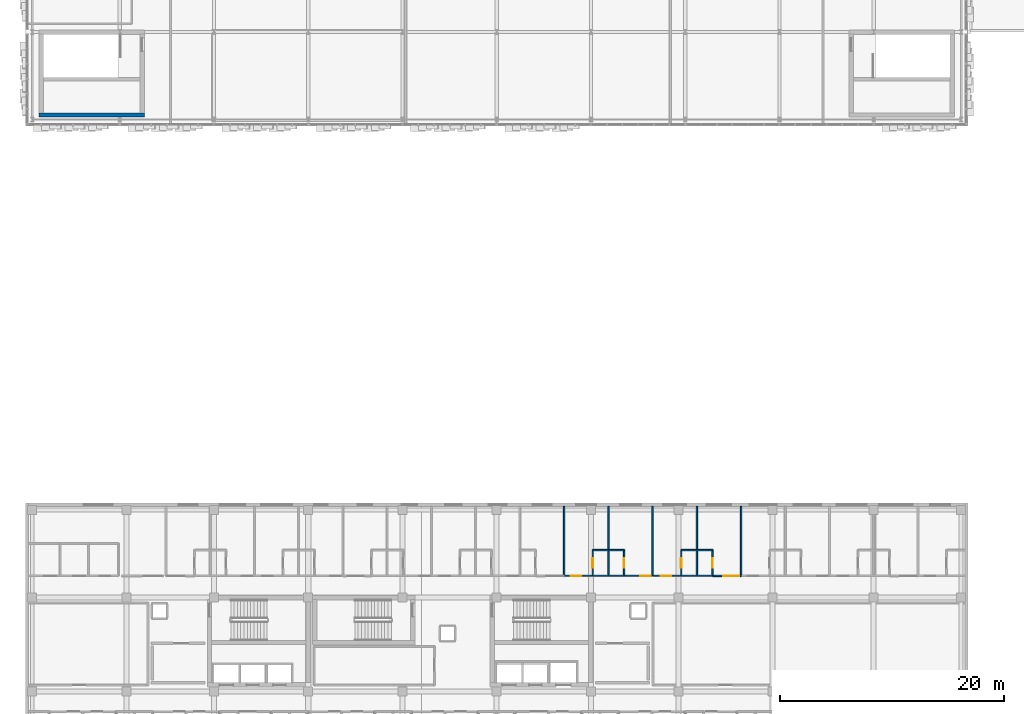
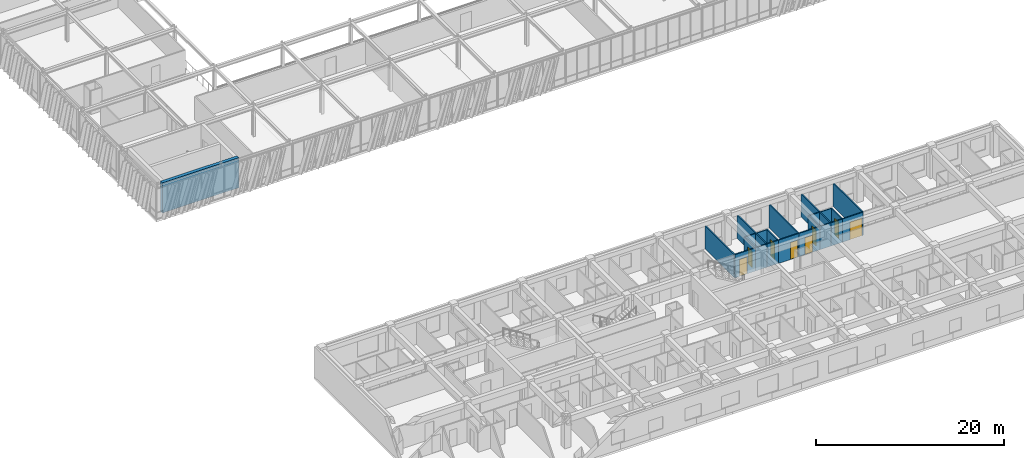
# One storey, part 109 of 123: 22 walls, 8 doors, 8 openings.
"""IFC4 building model written with IfcOpenShell, lengths in metres."""

from ifc_helpers import new_model, si_unit, direction, frame, frame_2d, origin, place, context, subcontext, project, spatial, rectangle, extrude, material, layer, layer_set, type_object, element, fill, save


model = new_model("IFC4")

# Units and contexts
model_context = context("Model", 3, precision=1e-05, world=origin(), true_north=direction((0.0, 1.0)))
body_context = subcontext(model_context, "Body", "Model", "MODEL_VIEW")
ifc_project = project(units=[si_unit("LENGTHUNIT", "METRE"), si_unit("AREAUNIT", "SQUARE_METRE"), si_unit("VOLUMEUNIT", "CUBIC_METRE"), si_unit("PLANEANGLEUNIT", "RADIAN"), si_unit("MASSUNIT", "GRAM", prefix="KILO")], contexts=[model_context])

# Site, building, storey
site_placement = place(None, origin())
site = spatial("IfcSite", under=ifc_project, at=site_placement, CompositionType="ELEMENT")
building_placement = place(site_placement, origin())
building = spatial("IfcBuilding", under=site, at=building_placement, Name="Zayran Congress Hotel", CompositionType="ELEMENT")
storey_placement = place(building_placement, frame((0.0, 0.0, 15.0)))
storey = spatial("IfcBuildingStorey", under=building, at=storey_placement, Name="L03", CompositionType="ELEMENT", Elevation=15.0)

# Wall
ifc_material_1 = material(Name="Concrete C40/50", Category="concrete")
ifc_layer_1 = layer(ifc_material_1, 0.39990234375)
ifc_layer_set_1 = layer_set([ifc_layer_1], Name="Concrete C40/50")
wall_type_1 = type_object("IfcWallType", Name="WL-SH-400", PredefinedType="SHEAR", material=ifc_layer_set_1)
wall_1_placement = place(storey_placement, frame((9.60009765625, 68.60009765625, 0.0), z_axis=(0.0, 0.0, 1.0), x_axis=(1.0, 0.0, 0.0)))
element("IfcWall", 1, at=wall_1_placement, inside=storey, type_object=wall_type_1, Name="CWALL-C-V1S-L03-S", PredefinedType="SHEAR", context=body_context, shape_type="SweptSolid", body=[
    extrude(rectangle(XDim=9.39990234375, YDim=0.39990234375, at=frame_2d((4.699951171875, 0.0))), origin(), (0.0, 0.0, 1.0), 3.919921875),
])

# Wall, opening, door
ifc_material_2 = material(Name="Hospitality guestroom acoustic partition", Category="gypsum")
ifc_layer_2 = layer(ifc_material_2, 0.139892578125)
ifc_layer_set_2 = layer_set([ifc_layer_2], Name="Hospitality guestroom acoustic partition")
wall_type_2 = type_object("IfcWallType", Name="WL-PT-140", PredefinedType="PARTITIONING", material=ifc_layer_set_2)
wall_2_placement = place(storey_placement, frame((56.425048828125, 27.530029296875, 0.0), z_axis=(0.0, 0.0, 1.0), x_axis=(1.0, 0.0, 0.0)))
wall_2 = element("IfcWall", 2, at=wall_2_placement, inside=storey, type_object=wall_type_2, Name="IW-L03-0600", PredefinedType="PARTITIONING", context=body_context, shape_type="SweptSolid", body=[
    extrude(rectangle(XDim=2.534912109375, YDim=0.139892578125, at=frame_2d((1.267578125, 0.0))), origin(), (0.0, 0.0, 1.0), 3.02001953125),
])
opening_1_placement = place(wall_2_placement, frame((0.56298828125, 0.0, 0.0)))
opening_1 = element("IfcOpeningElement", 3, at=opening_1_placement, cuts=wall_2, Name="Opening DR-GR-01", PredefinedType="OPENING", context=body_context, shape_type="SweptSolid", body=[
    extrude(rectangle(XDim=0.93994140625, YDim=2.199951171875, at=frame_2d((0.469970703125, 1.10009765625))), frame((0.0, 0.079833984375, 0.0), z_axis=(0.0, -1.0, 0.0), x_axis=(1.0, 0.0, 0.0)), (0.0, 0.0, 1.0), 0.159912109375),
])
ifc_material_3 = material(Name="Acoustic walnut veneer fire-rated entry door", Category="wood")
door_type_1 = type_object("IfcDoorType", Name="TP-DR-GR-01", OperationType="NOTDEFINED", PredefinedType="DOOR", material=ifc_material_3)
door_1_placement = place(opening_1_placement, origin())
door_1 = element("IfcDoor", 4, at=door_1_placement, inside=storey, type_object=door_type_1, Name="Guest Room L03-28 Door", OperationType="SINGLE_SWING_LEFT", OverallHeight=2.199951171875, OverallWidth=0.93994140625, PredefinedType="DOOR", context=body_context, shape_type="SweptSolid", body=[
    extrude(rectangle(XDim=0.93994140625, YDim=2.199951171875, at=frame_2d((0.469970703125, 1.10009765625))), frame((0.0, 0.02490234375, 0.0), z_axis=(0.0, -1.0, 0.0), x_axis=(1.0, 0.0, 0.0)), (0.0, 0.0, 1.0), 0.050048828125),
])
fill(opening_1, door_1)

wall_3_placement = place(storey_placement, frame((61.756103515625, 27.530029296875, 0.0), z_axis=(0.0, 0.0, 1.0), x_axis=(1.0, 0.0, 0.0)))
wall_3 = element("IfcWall", 5, at=wall_3_placement, inside=storey, type_object=wall_type_2, Name="IW-L03-0601", PredefinedType="PARTITIONING", context=body_context, shape_type="SweptSolid", body=[
    extrude(rectangle(XDim=2.534912109375, YDim=0.139892578125, at=frame_2d((1.267578125, 0.0))), origin(), (0.0, 0.0, 1.0), 3.02001953125),
])
opening_2_placement = place(wall_3_placement, frame((1.455078125, 0.0, 0.0)))
opening_2 = element("IfcOpeningElement", 6, at=opening_2_placement, cuts=wall_3, Name="Opening DR-GR-01", PredefinedType="OPENING", context=body_context, shape_type="SweptSolid", body=[
    extrude(rectangle(XDim=0.93994140625, YDim=2.199951171875, at=frame_2d((0.469970703125, 1.10009765625))), frame((0.0, 0.079833984375, 0.0), z_axis=(0.0, -1.0, 0.0), x_axis=(1.0, 0.0, 0.0)), (0.0, 0.0, 1.0), 0.159912109375),
])
door_2_placement = place(opening_2_placement, origin())
door_2 = element("IfcDoor", 7, at=door_2_placement, inside=storey, type_object=door_type_1, Name="Guest Room L03-29 Door", OperationType="SINGLE_SWING_RIGHT", OverallHeight=2.199951171875, OverallWidth=0.93994140625, PredefinedType="DOOR", context=body_context, shape_type="SweptSolid", body=[
    extrude(rectangle(XDim=0.93994140625, YDim=2.199951171875, at=frame_2d((0.469970703125, 1.10009765625))), frame((0.0, 0.02490234375, 0.0), z_axis=(0.0, -1.0, 0.0), x_axis=(1.0, 0.0, 0.0)), (0.0, 0.0, 1.0), 0.050048828125),
])
fill(opening_2, door_2)

wall_4_placement = place(storey_placement, frame((64.31103515625, 27.530029296875, 0.0), z_axis=(0.0, 0.0, 1.0), x_axis=(1.0, 0.0, 0.0)))
wall_4 = element("IfcWall", 8, at=wall_4_placement, inside=storey, type_object=wall_type_2, Name="IW-L03-0602", PredefinedType="PARTITIONING", context=body_context, shape_type="SweptSolid", body=[
    extrude(rectangle(XDim=2.533935546875, YDim=0.139892578125, at=frame_2d((1.26708984375, 0.0))), origin(), (0.0, 0.0, 1.0), 3.02001953125),
])
opening_3_placement = place(wall_4_placement, frame((0.702880859375, 0.0, 0.0)))
opening_3 = element("IfcOpeningElement", 9, at=opening_3_placement, cuts=wall_4, Name="Opening DR-GR-01", PredefinedType="OPENING", context=body_context, shape_type="SweptSolid", body=[
    extrude(rectangle(XDim=0.93994140625, YDim=2.199951171875, at=frame_2d((0.469970703125, 1.10009765625))), frame((0.0, 0.079833984375, 0.0), z_axis=(0.0, -1.0, 0.0), x_axis=(1.0, 0.0, 0.0)), (0.0, 0.0, 1.0), 0.159912109375),
])
door_3_placement = place(opening_3_placement, origin())
door_3 = element("IfcDoor", 10, at=door_3_placement, inside=storey, type_object=door_type_1, Name="Guest Room L03-30 Door", OperationType="SINGLE_SWING_LEFT", OverallHeight=2.199951171875, OverallWidth=0.93994140625, PredefinedType="DOOR", context=body_context, shape_type="SweptSolid", body=[
    extrude(rectangle(XDim=0.93994140625, YDim=2.199951171875, at=frame_2d((0.469970703125, 1.10009765625))), frame((0.0, 0.02490234375, 0.0), z_axis=(0.0, -1.0, 0.0), x_axis=(1.0, 0.0, 0.0)), (0.0, 0.0, 1.0), 0.050048828125),
])
fill(opening_3, door_3)

wall_5_placement = place(storey_placement, frame((69.64111328125, 27.530029296875, 0.0), z_axis=(0.0, 0.0, 1.0), x_axis=(1.0, 0.0, 0.0)))
wall_5 = element("IfcWall", 11, at=wall_5_placement, inside=storey, type_object=wall_type_2, Name="IW-L03-0603", PredefinedType="PARTITIONING", context=body_context, shape_type="SweptSolid", body=[
    extrude(rectangle(XDim=2.534912109375, YDim=0.139892578125, at=frame_2d((1.267578125, 0.0))), origin(), (0.0, 0.0, 1.0), 3.02001953125),
])
opening_4_placement = place(wall_5_placement, frame((0.945068359375, 0.0, 0.0)))
opening_4 = element("IfcOpeningElement", 12, at=opening_4_placement, cuts=wall_5, Name="Opening DR-ST-01", PredefinedType="OPENING", context=body_context, shape_type="SweptSolid", body=[
    extrude(rectangle(XDim=1.449951171875, YDim=2.300048828125, at=frame_2d((0.72509765625, 1.14990234375))), frame((0.0, 0.079833984375, 0.0), z_axis=(0.0, -1.0, 0.0), x_axis=(1.0, 0.0, 0.0)), (0.0, 0.0, 1.0), 0.159912109375),
])
ifc_material_4 = material(Name="Double walnut veneer suite entry door", Category="wood")
door_type_2 = type_object("IfcDoorType", Name="TP-DR-ST-01", OperationType="DOUBLE_DOOR_SINGLE_SWING", PredefinedType="DOOR", material=ifc_material_4)
door_4_placement = place(opening_4_placement, origin())
door_4 = element("IfcDoor", 13, at=door_4_placement, inside=storey, type_object=door_type_2, Name="Executive Suite L03-31 Door", OperationType="DOUBLE_DOOR_SINGLE_SWING", OverallHeight=2.300048828125, OverallWidth=1.449951171875, PredefinedType="DOOR", context=body_context, shape_type="SweptSolid", body=[
    extrude(rectangle(XDim=1.449951171875, YDim=2.300048828125, at=frame_2d((0.72509765625, 1.14990234375))), frame((0.0, 0.02490234375, 0.0), z_axis=(0.0, -1.0, 0.0), x_axis=(1.0, 0.0, 0.0)), (0.0, 0.0, 1.0), 0.050048828125),
])
fill(opening_4, door_4)

# Walls
for number, where, z_axis, x_axis, name in (
    (14, (56.405029296875, 27.52001953125, 0.0), (0.0, 0.0, 1.0), (0.0, 1.0, 0.0), "IW-L03-1920"),
    (15, (60.347900390625, 27.52001953125, 0.0), (0.0, 0.0, 1.0), (0.0, 1.0, 0.0), "IW-L03-1921"),
    (16, (64.291015625, 27.52001953125, 0.0), (0.0, 0.0, 1.0), (0.0, 1.0, 0.0), "IW-L03-1922"),
    (17, (68.23291015625, 27.52001953125, 0.0), (0.0, 0.0, 1.0), (0.0, 1.0, 0.0), "IW-L03-1923"),
    (18, (72.176025390625, 27.52001953125, 0.0), (0.0, 0.0, 1.0), (0.0, 1.0, 0.0), "IW-L03-1924"),
):
    element("IfcWall", number, at=place(storey_placement, frame(where, z_axis=z_axis, x_axis=x_axis)), inside=storey, type_object=wall_type_2, Name=name, PredefinedType="PARTITIONING", context=body_context, shape_type="SweptSolid", body=[
        extrude(rectangle(XDim=6.199951171875, YDim=0.139892578125, at=frame_2d((3.10009765625, 0.0))), origin(), (0.0, 0.0, 1.0), 3.02001953125),
    ])

# Wall, opening, door
ifc_material_5 = material(Name="Moisture-resistant bathroom partition", Category="gypsum")
ifc_layer_3 = layer(ifc_material_5, 0.1201171875)
ifc_layer_set_3 = layer_set([ifc_layer_3], Name="Moisture-resistant bathroom partition")
wall_type_3 = type_object("IfcWallType", Name="WL-PT-120", PredefinedType="PARTITIONING", material=ifc_layer_set_3)
wall_6_placement = place(storey_placement, frame((58.9599609375, 27.52001953125, 0.0), z_axis=(0.0, 0.0, 1.0), x_axis=(0.0, 1.0, 0.0)))
wall_6 = element("IfcWall", 19, at=wall_6_placement, inside=storey, type_object=wall_type_3, Name="IW-L03-0118", PredefinedType="PARTITIONING", context=body_context, shape_type="SweptSolid", body=[
    extrude(rectangle(XDim=2.31005859375, YDim=0.1201171875, at=frame_2d((1.155029296875, 0.0))), origin(), (0.0, 0.0, 1.0), 3.02001953125),
])
opening_5_placement = place(wall_6_placement, frame((0.715087890625, 0.0, 0.0)))
opening_5 = element("IfcOpeningElement", 20, at=opening_5_placement, cuts=wall_6, Name="Opening DR-BT-01", PredefinedType="OPENING", context=body_context, shape_type="SweptSolid", body=[
    extrude(rectangle(XDim=0.8798828125, YDim=2.14990234375, at=frame_2d((0.43994140625, 1.074951171875))), frame((0.0, 0.070068359375, 0.0), z_axis=(0.0, -1.0, 0.0), x_axis=(1.0, 0.0, 0.0)), (0.0, 0.0, 1.0), 0.14013671875),
])
ifc_material_6 = material(Name="Moisture-resistant oak en-suite door", Category="wood")
door_type_3 = type_object("IfcDoorType", Name="TP-DR-BT-01", OperationType="NOTDEFINED", PredefinedType="DOOR", material=ifc_material_6)
door_5_placement = place(opening_5_placement, origin())
door_5 = element("IfcDoor", 21, at=door_5_placement, inside=storey, type_object=door_type_3, Name="En-Suite Bathroom L03-28 Door", OperationType="SINGLE_SWING_LEFT", OverallHeight=2.14990234375, OverallWidth=0.8798828125, PredefinedType="DOOR", context=body_context, shape_type="SweptSolid", body=[
    extrude(rectangle(XDim=0.8798828125, YDim=2.14990234375, at=frame_2d((0.43994140625, 1.074951171875))), frame((0.0, 0.02490234375, 0.0), z_axis=(0.0, -1.0, 0.0), x_axis=(1.0, 0.0, 0.0)), (0.0, 0.0, 1.0), 0.050048828125),
])
fill(opening_5, door_5)

wall_7_placement = place(storey_placement, frame((61.756103515625, 27.52001953125, 0.0), z_axis=(0.0, 0.0, 1.0), x_axis=(0.0, 1.0, 0.0)))
wall_7 = element("IfcWall", 22, at=wall_7_placement, inside=storey, type_object=wall_type_3, Name="IW-L03-0119", PredefinedType="PARTITIONING", context=body_context, shape_type="SweptSolid", body=[
    extrude(rectangle(XDim=2.31005859375, YDim=0.1201171875, at=frame_2d((1.155029296875, 0.0))), origin(), (0.0, 0.0, 1.0), 3.02001953125),
])
opening_6_placement = place(wall_7_placement, frame((0.715087890625, 0.0, 0.0)))
opening_6 = element("IfcOpeningElement", 23, at=opening_6_placement, cuts=wall_7, Name="Opening DR-BT-01", PredefinedType="OPENING", context=body_context, shape_type="SweptSolid", body=[
    extrude(rectangle(XDim=0.8798828125, YDim=2.14990234375, at=frame_2d((0.43994140625, 1.074951171875))), frame((0.0, 0.070068359375, 0.0), z_axis=(0.0, -1.0, 0.0), x_axis=(1.0, 0.0, 0.0)), (0.0, 0.0, 1.0), 0.14013671875),
])
door_6_placement = place(opening_6_placement, origin())
door_6 = element("IfcDoor", 24, at=door_6_placement, inside=storey, type_object=door_type_3, Name="En-Suite Bathroom L03-29 Door", OperationType="SINGLE_SWING_RIGHT", OverallHeight=2.14990234375, OverallWidth=0.8798828125, PredefinedType="DOOR", context=body_context, shape_type="SweptSolid", body=[
    extrude(rectangle(XDim=0.8798828125, YDim=2.14990234375, at=frame_2d((0.43994140625, 1.074951171875))), frame((0.0, 0.02490234375, 0.0), z_axis=(0.0, -1.0, 0.0), x_axis=(1.0, 0.0, 0.0)), (0.0, 0.0, 1.0), 0.050048828125),
])
fill(opening_6, door_6)

wall_8_placement = place(storey_placement, frame((66.844970703125, 27.52001953125, 0.0), z_axis=(0.0, 0.0, 1.0), x_axis=(0.0, 1.0, 0.0)))
wall_8 = element("IfcWall", 25, at=wall_8_placement, inside=storey, type_object=wall_type_3, Name="IW-L03-0120", PredefinedType="PARTITIONING", context=body_context, shape_type="SweptSolid", body=[
    extrude(rectangle(XDim=2.31005859375, YDim=0.1201171875, at=frame_2d((1.155029296875, 0.0))), origin(), (0.0, 0.0, 1.0), 3.02001953125),
])
opening_7_placement = place(wall_8_placement, frame((0.715087890625, 0.0, 0.0)))
opening_7 = element("IfcOpeningElement", 26, at=opening_7_placement, cuts=wall_8, Name="Opening DR-BT-01", PredefinedType="OPENING", context=body_context, shape_type="SweptSolid", body=[
    extrude(rectangle(XDim=0.8798828125, YDim=2.14990234375, at=frame_2d((0.43994140625, 1.074951171875))), frame((0.0, 0.070068359375, 0.0), z_axis=(0.0, -1.0, 0.0), x_axis=(1.0, 0.0, 0.0)), (0.0, 0.0, 1.0), 0.14013671875),
])
door_7_placement = place(opening_7_placement, origin())
door_7 = element("IfcDoor", 27, at=door_7_placement, inside=storey, type_object=door_type_3, Name="En-Suite Bathroom L03-30 Door", OperationType="SINGLE_SWING_LEFT", OverallHeight=2.14990234375, OverallWidth=0.8798828125, PredefinedType="DOOR", context=body_context, shape_type="SweptSolid", body=[
    extrude(rectangle(XDim=0.8798828125, YDim=2.14990234375, at=frame_2d((0.43994140625, 1.074951171875))), frame((0.0, 0.02490234375, 0.0), z_axis=(0.0, -1.0, 0.0), x_axis=(1.0, 0.0, 0.0)), (0.0, 0.0, 1.0), 0.050048828125),
])
fill(opening_7, door_7)

wall_9_placement = place(storey_placement, frame((69.64111328125, 27.52001953125, 0.0), z_axis=(0.0, 0.0, 1.0), x_axis=(0.0, 1.0, 0.0)))
wall_9 = element("IfcWall", 28, at=wall_9_placement, inside=storey, type_object=wall_type_3, Name="IW-L03-0121", PredefinedType="PARTITIONING", context=body_context, shape_type="SweptSolid", body=[
    extrude(rectangle(XDim=2.31005859375, YDim=0.1201171875, at=frame_2d((1.155029296875, 0.0))), origin(), (0.0, 0.0, 1.0), 3.02001953125),
])
opening_8_placement = place(wall_9_placement, frame((0.715087890625, 0.0, 0.0)))
opening_8 = element("IfcOpeningElement", 29, at=opening_8_placement, cuts=wall_9, Name="Opening DR-BT-01", PredefinedType="OPENING", context=body_context, shape_type="SweptSolid", body=[
    extrude(rectangle(XDim=0.8798828125, YDim=2.14990234375, at=frame_2d((0.43994140625, 1.074951171875))), frame((0.0, 0.070068359375, 0.0), z_axis=(0.0, -1.0, 0.0), x_axis=(1.0, 0.0, 0.0)), (0.0, 0.0, 1.0), 0.14013671875),
])
door_8_placement = place(opening_8_placement, origin())
door_8 = element("IfcDoor", 30, at=door_8_placement, inside=storey, type_object=door_type_3, Name="En-Suite Bathroom L03-31 Door", OperationType="SINGLE_SWING_RIGHT", OverallHeight=2.14990234375, OverallWidth=0.8798828125, PredefinedType="DOOR", context=body_context, shape_type="SweptSolid", body=[
    extrude(rectangle(XDim=0.8798828125, YDim=2.14990234375, at=frame_2d((0.43994140625, 1.074951171875))), frame((0.0, 0.02490234375, 0.0), z_axis=(0.0, -1.0, 0.0), x_axis=(1.0, 0.0, 0.0)), (0.0, 0.0, 1.0), 0.050048828125),
])
fill(opening_8, door_8)

# Walls
for number, where, z_axis, x_axis, name in (
    (31, (58.949951171875, 27.530029296875, 0.0), (0.0, 0.0, 1.0), (1.0, 0.0, 0.0), "IW-L03-1103"),
    (32, (58.949951171875, 29.820068359375, 0.0), (0.0, 0.0, 1.0), (1.0, 0.0, 0.0), "IW-L03-1104"),
):
    element("IfcWall", number, at=place(storey_placement, frame(where, z_axis=z_axis, x_axis=x_axis)), inside=storey, type_object=wall_type_3, Name=name, PredefinedType="PARTITIONING", context=body_context, shape_type="SweptSolid", body=[
        extrude(rectangle(XDim=1.407958984375, YDim=0.1201171875, at=frame_2d((0.7041015625, 0.0))), origin(), (0.0, 0.0, 1.0), 3.02001953125),
    ])
for number, where, z_axis, x_axis, name in (
    (33, (60.35791015625, 27.530029296875, 0.0), (0.0, 0.0, 1.0), (1.0, 0.0, 0.0), "IW-L03-1105"),
    (34, (60.35791015625, 29.820068359375, 0.0), (0.0, 0.0, 1.0), (1.0, 0.0, 0.0), "IW-L03-1106"),
):
    element("IfcWall", number, at=place(storey_placement, frame(where, z_axis=z_axis, x_axis=x_axis)), inside=storey, type_object=wall_type_3, Name=name, PredefinedType="PARTITIONING", context=body_context, shape_type="SweptSolid", body=[
        extrude(rectangle(XDim=1.408203125, YDim=0.1201171875, at=frame_2d((0.7041015625, 0.0))), origin(), (0.0, 0.0, 1.0), 3.02001953125),
    ])
for number, where, z_axis, x_axis, name in (
    (35, (66.8349609375, 27.530029296875, 0.0), (0.0, 0.0, 1.0), (1.0, 0.0, 0.0), "IW-L03-1107"),
    (36, (66.8349609375, 29.820068359375, 0.0), (0.0, 0.0, 1.0), (1.0, 0.0, 0.0), "IW-L03-1108"),
    (37, (68.242919921875, 27.530029296875, 0.0), (0.0, 0.0, 1.0), (1.0, 0.0, 0.0), "IW-L03-1109"),
    (38, (68.242919921875, 29.820068359375, 0.0), (0.0, 0.0, 1.0), (1.0, 0.0, 0.0), "IW-L03-1110"),
):
    element("IfcWall", number, at=place(storey_placement, frame(where, z_axis=z_axis, x_axis=x_axis)), inside=storey, type_object=wall_type_3, Name=name, PredefinedType="PARTITIONING", context=body_context, shape_type="SweptSolid", body=[
        extrude(rectangle(XDim=1.407958984375, YDim=0.1201171875, at=frame_2d((0.7041015625, 0.0))), origin(), (0.0, 0.0, 1.0), 3.02001953125),
    ])

save(model, "model.ifc")
